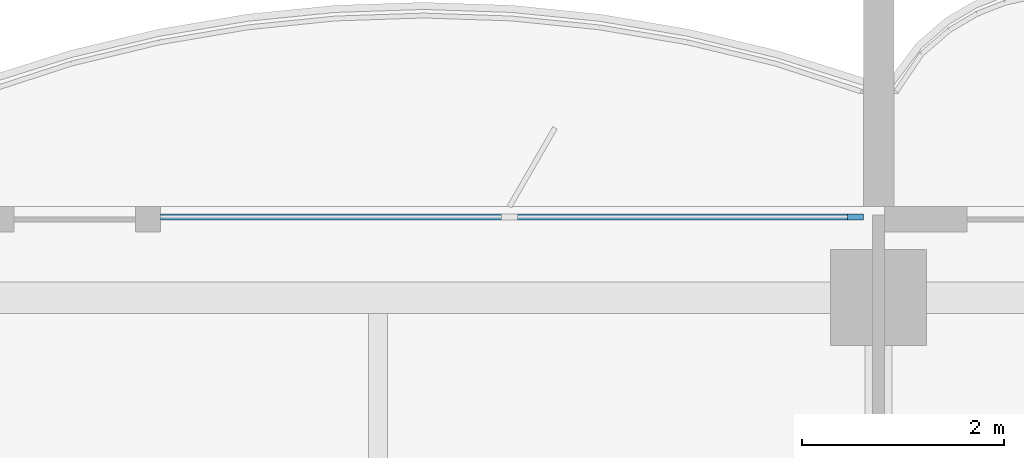
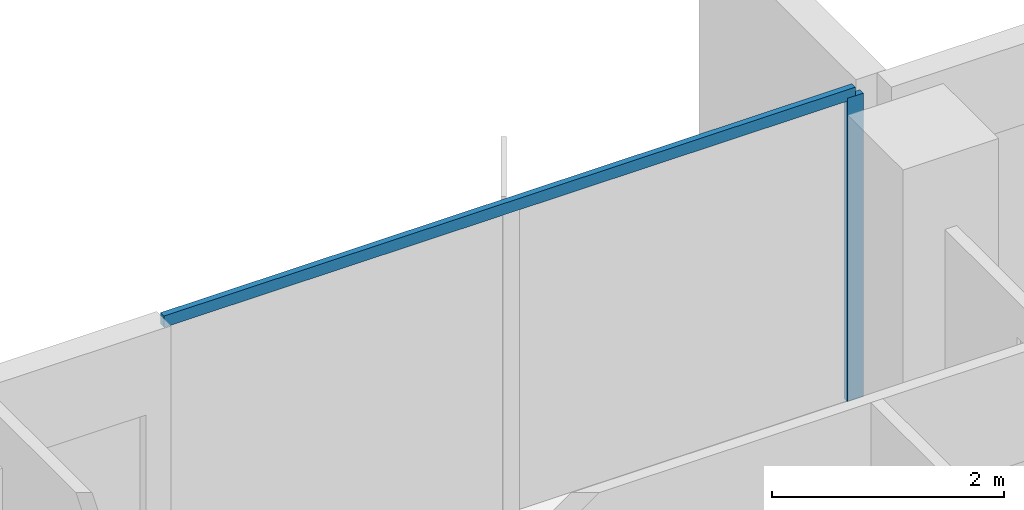
# One storey, part 6 of 17: 2 members, 1 element without a shape of its own.
"""IFC4 building model written with IfcOpenShell, lengths in metres."""

from ifc_helpers import new_model, si_unit, direction, frame, origin, origin_2d, place, context, subcontext, project, spatial, rectangle, extrude, material, material_profile, profile_set, type_object, element, aggregate, save


model = new_model("IFC4")

# Units and contexts
model_context = context("Model", 3, precision=1e-05, world=origin(), true_north=direction((0.0, 1.0)))
body_context = subcontext(model_context, "Body", "Model", "MODEL_VIEW")
ifc_project = project(units=[si_unit("LENGTHUNIT", "METRE"), si_unit("AREAUNIT", "SQUARE_METRE"), si_unit("VOLUMEUNIT", "CUBIC_METRE"), si_unit("PLANEANGLEUNIT", "RADIAN"), si_unit("MASSUNIT", "GRAM", prefix="KILO")], contexts=[model_context])

# Site, building, storey
site_placement = place(None, origin())
site = spatial("IfcSite", under=ifc_project, at=site_placement, CompositionType="ELEMENT")
building_placement = place(site_placement, origin())
building = spatial("IfcBuilding", under=site, at=building_placement, Name="Perihelion Cross Residences", CompositionType="ELEMENT")
storey_placement = place(building_placement, frame((0.0, 0.0, 201.60009765625)))
storey = spatial("IfcBuildingStorey", under=building, at=storey_placement, Name="L50", CompositionType="ELEMENT", Elevation=201.60009765625)

# Curtain wall, members
ifc_material_1 = material(Name="Bronze anodised aluminium, tinted glazing", Category="aluminium")
curtain_wall_type = type_object("IfcCurtainWallType", Name="CW1", PredefinedType="NOTDEFINED", material=ifc_material_1)
curtain_wall_placement = place(storey_placement, origin())
curtain_wall = element("IfcCurtainWall", 1, at=curtain_wall_placement, inside=storey, type_object=curtain_wall_type, Name="Curtain wall CW1 L50 east side north bay 2", PredefinedType="NOTDEFINED")
ifc_material_2 = material(Name="Bronze anodised aluminium", Category="aluminium")
ifc_material_profile_1 = material_profile(ifc_material_2, rectangle(XDim=0.06005859375, YDim=0.159912109375, at=origin_2d()), Name="CW1 mullion")
ifc_profile_set_1 = profile_set([ifc_material_profile_1], Name="Bronze anodised aluminium")
member_type_1 = type_object("IfcMemberType", Name="CW1 mullion", PredefinedType="MULLION", material=ifc_profile_set_1)
member_1_placement = place(storey_placement, frame((17.77001953125, 8.89990234375, 0.0), z_axis=(0.0, 0.0, 1.0), x_axis=(0.0, -1.0, 0.0)))
member_1 = element("IfcMember", 2, at=member_1_placement, type_object=member_type_1, Name="CW1 mullion 1", PredefinedType="MULLION", context=body_context, shape_type="SweptSolid", body=[
    extrude(rectangle(XDim=0.06005859375, YDim=0.159912109375, at=origin_2d()), origin(), (0.0, 0.0, 1.0), 3.18994140625),
])
ifc_material_3 = material(Name="Bronze anodised aluminium", Category="aluminium")
ifc_material_profile_2 = material_profile(ifc_material_3, rectangle(XDim=0.06005859375, YDim=0.1201171875, at=origin_2d()), Name="CW1 transom")
ifc_profile_set_2 = profile_set([ifc_material_profile_2], Name="Bronze anodised aluminium")
member_type_2 = type_object("IfcMemberType", Name="CW1 transom", PredefinedType="USERDEFINED", material=ifc_profile_set_2)
member_2_placement = place(storey_placement, frame((17.77001953125, 8.89990234375, 3.219970703125), z_axis=(-1.0, 0.0, 0.0), x_axis=(0.0, -1.0, 0.0)))
member_2 = element("IfcMember", 3, at=member_2_placement, type_object=member_type_2, Name="CW1 head transom", ObjectType="TRANSOM", PredefinedType="USERDEFINED", context=body_context, shape_type="SweptSolid", body=[
    extrude(rectangle(XDim=0.06005859375, YDim=0.1201171875, at=origin_2d()), origin(), (0.0, 0.0, 1.0), 6.8701171875),
])
aggregate(curtain_wall, [member_1, member_2])

save(model, "model.ifc")
